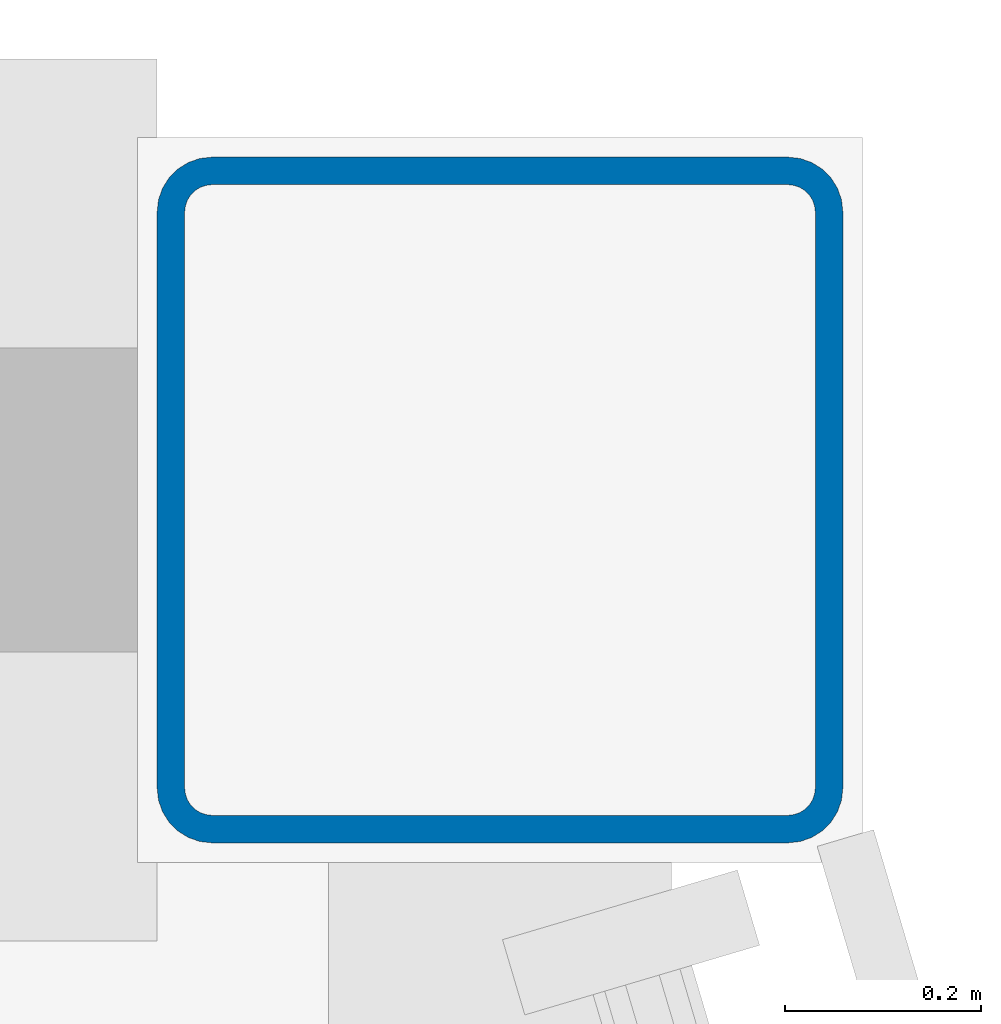
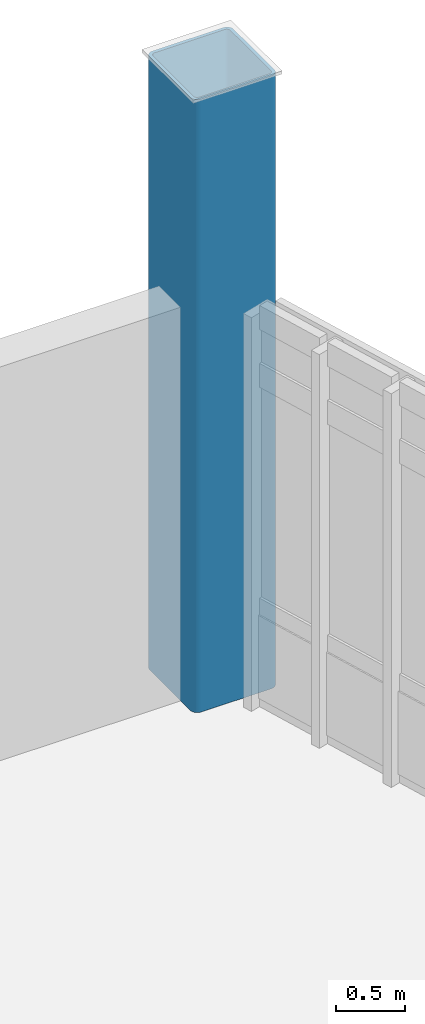
# One storey, part 14 of 127: 1 column.
"""IFC4 building model written with IfcOpenShell, lengths in metres."""

from ifc_helpers import new_model, si_unit, direction, frame, origin, origin_2d, place, context, subcontext, project, spatial, hollow_rectangle, extrude, material, material_profile, profile_set, type_object, element, save


model = new_model("IFC4")

# Units and contexts
model_context = context("Model", 3, precision=1e-05, world=origin(), true_north=direction((0.0, 1.0)))
body_context = subcontext(model_context, "Body", "Model", "MODEL_VIEW")
ifc_project = project(units=[si_unit("LENGTHUNIT", "METRE"), si_unit("AREAUNIT", "SQUARE_METRE"), si_unit("VOLUMEUNIT", "CUBIC_METRE"), si_unit("PLANEANGLEUNIT", "RADIAN"), si_unit("MASSUNIT", "GRAM", prefix="KILO")], contexts=[model_context])

# Site, building, storey
site_placement = place(None, origin())
site = spatial("IfcSite", under=ifc_project, at=site_placement, CompositionType="ELEMENT")
building_placement = place(site_placement, origin())
building = spatial("IfcBuilding", under=site, at=building_placement, Name="Larkvane Passage Sports Hall", CompositionType="ELEMENT")
storey_placement = place(building_placement, frame((0.0, 0.0, 5.39990234375)))
storey = spatial("IfcBuildingStorey", under=building, at=storey_placement, Name="L01", CompositionType="ELEMENT", Elevation=5.39990234375)

# Column
ifc_material = material(Name="Steel S460N", Category="steel")
ifc_material_profile = material_profile(ifc_material, hollow_rectangle(XDim=0.699951171875, YDim=0.699951171875, WallThickness=0.028076171875, InnerFilletRadius=0.028076171875, OuterFilletRadius=0.055908203125, at=origin_2d()), Name="BOX-700x700x28")
ifc_profile_set = profile_set([ifc_material_profile], Name="Steel S460N")
column_type = type_object("IfcColumnType", Name="COL-STL-BOX700", PredefinedType="COLUMN", material=ifc_profile_set)
column_placement = place(storey_placement, frame((145.60009765625, 99.199951171875, 0.0), z_axis=(0.0, 0.0, 1.0), x_axis=(1.0, 0.0, 0.0)))
element("IfcColumn", 1, at=column_placement, inside=storey, type_object=column_type, Name="Column 19/M L01", PredefinedType="COLUMN", context=body_context, shape_type="SweptSolid", body=[
    extrude(hollow_rectangle(XDim=0.699951171875, YDim=0.699951171875, WallThickness=0.028076171875, InnerFilletRadius=0.028076171875, OuterFilletRadius=0.055908203125, at=origin_2d()), origin(), (0.0, 0.0, 1.0), 5.400146484375),
])

save(model, "model.ifc")
